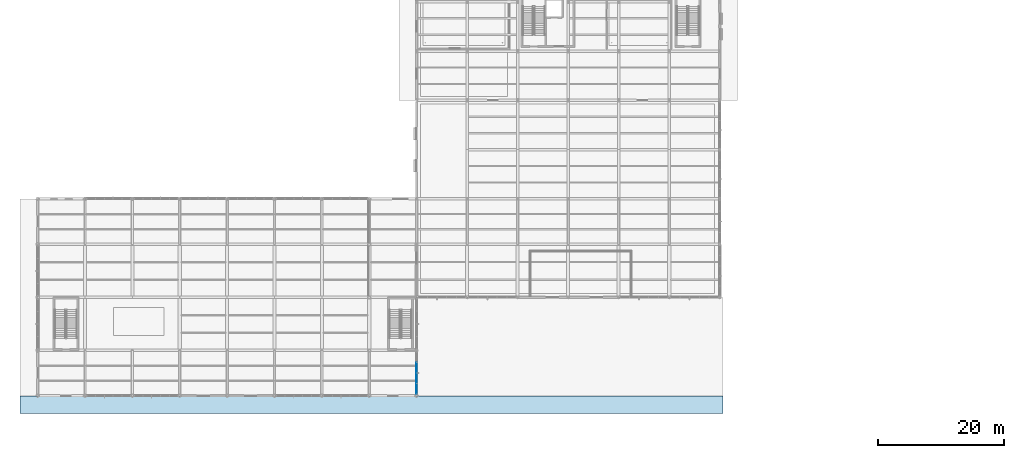
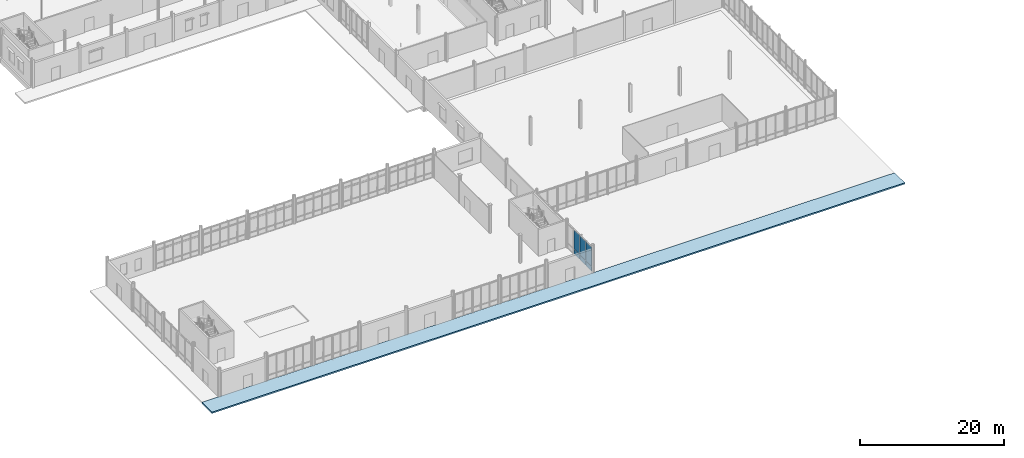
# One storey, part 38 of 82: 6 plates, 1 slab, 1 element without a shape of its own.
"""IFC4 building model written with IfcOpenShell, lengths in metres."""

from ifc_helpers import new_model, si_unit, direction, frame, origin, origin_2d, place, context, subcontext, project, spatial, polyline, rectangle, outline, extrude, material, layer, layer_set, type_object, element, aggregate, save


model = new_model("IFC4")

# Units and contexts
model_context = context("Model", 3, precision=1e-05, world=origin(), true_north=direction((0.0, 1.0)))
body_context = subcontext(model_context, "Body", "Model", "MODEL_VIEW")
ifc_project = project(units=[si_unit("LENGTHUNIT", "METRE"), si_unit("AREAUNIT", "SQUARE_METRE"), si_unit("VOLUMEUNIT", "CUBIC_METRE"), si_unit("PLANEANGLEUNIT", "RADIAN"), si_unit("MASSUNIT", "GRAM", prefix="KILO")], contexts=[model_context])

# Site, building, storey
site_placement = place(None, origin())
site = spatial("IfcSite", under=ifc_project, at=site_placement, CompositionType="ELEMENT")
building_placement = place(site_placement, origin())
building = spatial("IfcBuilding", under=site, at=building_placement, Name="Yukiwa Park Conservatory and Herbarium", CompositionType="ELEMENT")
storey_placement = place(building_placement, origin())
storey = spatial("IfcBuildingStorey", under=building, at=storey_placement, Name="L00", CompositionType="ELEMENT", Elevation=0.0)

# Curtain wall, plates
ifc_material_1 = material(Name="Triple Low-E Insulated Glass", Category="glass")
ifc_layer_1 = layer(ifc_material_1, 0.1640625)
ifc_layer_set_1 = layer_set([ifc_layer_1], Name="Triple Low-E Insulated Glass")
curtain_wall_type = type_object("IfcCurtainWallType", Name="CW-CONSERVATORY-1875", PredefinedType="NOTDEFINED", material=ifc_layer_set_1)
curtain_wall_placement = place(storey_placement, origin())
curtain_wall = element("IfcCurtainWall", 1, at=curtain_wall_placement, inside=storey, type_object=curtain_wall_type, Name="L00 unitised curtain wall CW-L00-005", PredefinedType="NOTDEFINED")
ifc_material_2 = material(Name="Triple Low-E Insulated Glass", Category="glass")
ifc_layer_2 = layer(ifc_material_2, 0.035888671875)
ifc_layer_set_2 = layer_set([ifc_layer_2], Name="Triple Low-E Insulated Glass")
plate_type_1 = type_object("IfcPlateType", Name="PL-CW-GLZ-36", PredefinedType="CURTAIN_PANEL", material=ifc_layer_set_2)
plate_1_placement = place(storey_placement, frame((60.0, 1.095703125, 0.93994140625), z_axis=(0.0, 0.0, 1.0), x_axis=(0.0, 1.0, 0.0)))
plate_1 = element("IfcPlate", 2, at=plate_1_placement, type_object=plate_type_1, Name="CW-L00-005 vision panel 1.2", PredefinedType="CURTAIN_PANEL", context=body_context, shape_type="SweptSolid", body=[
    extrude(rectangle(XDim=1.603271484375, YDim=0.035888671875, at=origin_2d()), origin(), (0.0, 0.0, 1.0), 3.199951171875),
])
plate_2_placement = place(storey_placement, frame((60.0, 2.77880859375, 0.93994140625), z_axis=(0.0, 0.0, 1.0), x_axis=(0.0, 1.0, 0.0)))
plate_2 = element("IfcPlate", 3, at=plate_2_placement, type_object=plate_type_1, Name="CW-L00-005 vision panel 2.2", PredefinedType="CURTAIN_PANEL", context=body_context, shape_type="SweptSolid", body=[
    extrude(rectangle(XDim=1.603271484375, YDim=0.035888671875, at=origin_2d()), origin(), (0.0, 0.0, 1.0), 3.199951171875),
])
plate_3_placement = place(storey_placement, frame((60.0, 4.462158203125, 0.93994140625), z_axis=(0.0, 0.0, 1.0), x_axis=(0.0, 1.0, 0.0)))
plate_3 = element("IfcPlate", 4, at=plate_3_placement, type_object=plate_type_1, Name="CW-L00-005 vision panel 3.2", PredefinedType="CURTAIN_PANEL", context=body_context, shape_type="SweptSolid", body=[
    extrude(rectangle(XDim=1.603271484375, YDim=0.035888671875, at=origin_2d()), origin(), (0.0, 0.0, 1.0), 3.199951171875),
])
ifc_material_3 = material(Name="Anodised Aluminium", Category="aluminium")
ifc_layer_3 = layer(ifc_material_3, 0.044921875)
ifc_layer_set_3 = layer_set([ifc_layer_3], Name="Anodised Aluminium")
plate_type_2 = type_object("IfcPlateType", Name="PL-CW-SPN-45", PredefinedType="CURTAIN_PANEL", material=ifc_layer_set_3)
plate_4_placement = place(storey_placement, frame((60.0, 1.095703125, 0.080078125), z_axis=(0.0, 0.0, 1.0), x_axis=(0.0, 1.0, 0.0)))
plate_4 = element("IfcPlate", 5, at=plate_4_placement, type_object=plate_type_2, Name="CW-L00-005 spandrel panel 1.1", PredefinedType="CURTAIN_PANEL", context=body_context, shape_type="SweptSolid", body=[
    extrude(rectangle(XDim=1.603271484375, YDim=0.044921875, at=origin_2d()), origin(), (0.0, 0.0, 1.0), 0.780029296875),
])
plate_5_placement = place(storey_placement, frame((60.0, 2.77880859375, 0.080078125), z_axis=(0.0, 0.0, 1.0), x_axis=(0.0, 1.0, 0.0)))
plate_5 = element("IfcPlate", 6, at=plate_5_placement, type_object=plate_type_2, Name="CW-L00-005 spandrel panel 2.1", PredefinedType="CURTAIN_PANEL", context=body_context, shape_type="SweptSolid", body=[
    extrude(rectangle(XDim=1.603271484375, YDim=0.044921875, at=origin_2d()), origin(), (0.0, 0.0, 1.0), 0.780029296875),
])
plate_6_placement = place(storey_placement, frame((60.0, 4.462158203125, 0.080078125), z_axis=(0.0, 0.0, 1.0), x_axis=(0.0, 1.0, 0.0)))
plate_6 = element("IfcPlate", 7, at=plate_6_placement, type_object=plate_type_2, Name="CW-L00-005 spandrel panel 3.1", PredefinedType="CURTAIN_PANEL", context=body_context, shape_type="SweptSolid", body=[
    extrude(rectangle(XDim=1.603271484375, YDim=0.044921875, at=origin_2d()), origin(), (0.0, 0.0, 1.0), 0.780029296875),
])
aggregate(curtain_wall, [plate_4, plate_1, plate_5, plate_2, plate_6, plate_3])

# Slab
ifc_material_4 = material(Name="Concrete C35", Category="concrete")
ifc_layer_4 = layer(ifc_material_4, 0.239990234375)
ifc_layer_set_4 = layer_set([ifc_layer_4], Name="Concrete C35")
slab_type = type_object("IfcSlabType", Name="SL-APRON-240", PredefinedType="FLOOR", material=ifc_layer_set_4)
slab_placement = place(storey_placement, frame((0.0, 0.0, -0.239990234375)))
element("IfcSlab", 8, at=slab_placement, inside=storey, type_object=slab_type, Name="South park garden court terrace apron", PredefinedType="FLOOR", context=body_context, shape_type="SweptSolid", body=[
    extrude(outline(polyline([(-2.800048828125, -2.800048828125), (108.5, -2.800048828125), (108.5, 0.0), (-2.800048828125, 0.0), (-2.800048828125, -2.800048828125)])), origin(), (0.0, 0.0, 1.0), 0.239990234375),
])

save(model, "model.ifc")
